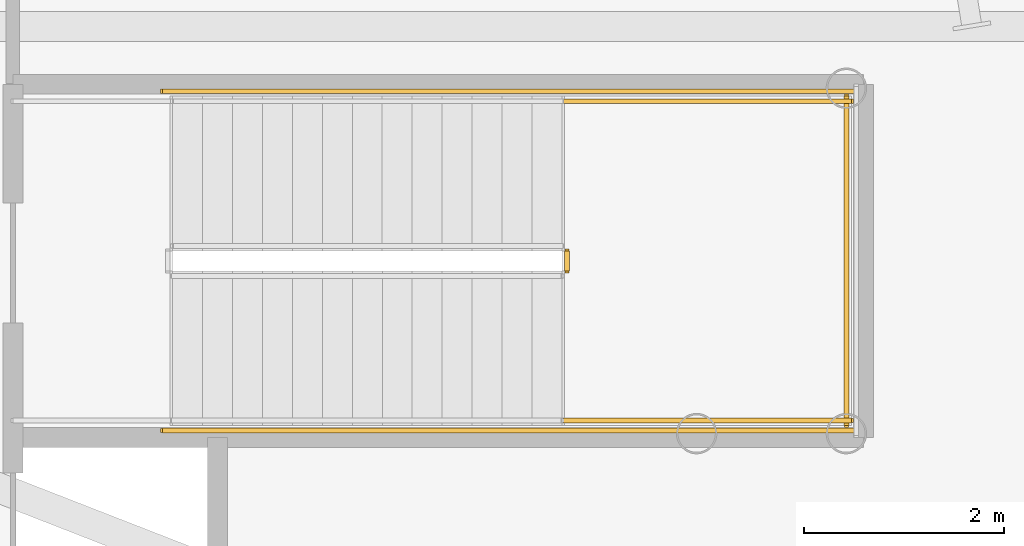
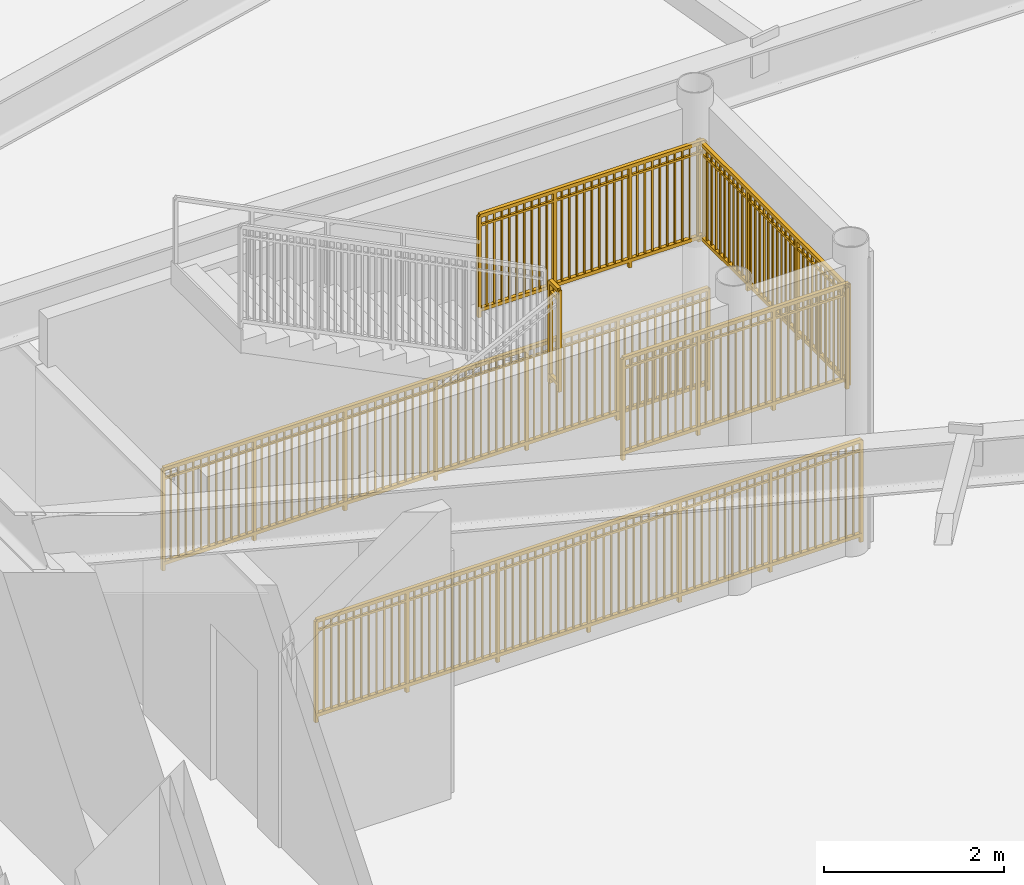
# One storey, part 34 of 35: 6 railings.
"""IFC4 building model written with IfcOpenShell, lengths in metres."""

from ifc_helpers import new_model, si_unit, direction, frame, origin, origin_2d, place, context, subcontext, project, spatial, rectangle, extrude, source, transform, mapped, material, type_object, element, save


model = new_model("IFC4")

# Units and contexts
model_context = context("Model", 3, precision=1e-05, world=origin(), true_north=direction((0.0, 1.0)))
body_context = subcontext(model_context, "Body", "Model", "MODEL_VIEW")
ifc_project = project(units=[si_unit("LENGTHUNIT", "METRE"), si_unit("AREAUNIT", "SQUARE_METRE"), si_unit("VOLUMEUNIT", "CUBIC_METRE"), si_unit("PLANEANGLEUNIT", "RADIAN"), si_unit("MASSUNIT", "GRAM", prefix="KILO")], contexts=[model_context])

# Site, building, storey
site_placement = place(None, origin())
site = spatial("IfcSite", under=ifc_project, at=site_placement, CompositionType="ELEMENT")
building_placement = place(site_placement, origin())
building = spatial("IfcBuilding", under=site, at=building_placement, Name="Linh Dai School and Residence Tower", CompositionType="ELEMENT")
storey_placement = place(building_placement, frame((0.0, 0.0, 32.39990234375)))
storey = spatial("IfcBuildingStorey", under=building, at=storey_placement, Name="L07", CompositionType="ELEMENT", Elevation=32.39990234375)

# Railings
ifc_material = material(Name="Structural Steel S355JR", Category="steel")
railing_type = type_object("IfcRailingType", Name="RL-ST-GUARD-1400", PredefinedType="GUARDRAIL", material=ifc_material)
shared_shape_1 = source(origin(), body_context, "Body", "SweptSolid", [
    extrude(rectangle(XDim=0.048095703125, YDim=0.048095703125, at=origin_2d()), frame((0.0, 0.0, 1.3759765625), z_axis=(0.0, 1.0, 0.0), x_axis=(-1.0, 0.0, 0.0)), (0.0, 0.0, 1.0), 0.199951171875),
    extrude(rectangle(XDim=0.048095703125, YDim=0.048095703125, at=origin_2d()), frame((0.0, 0.0, 0.10009765625), z_axis=(0.0, 1.0, 0.0), x_axis=(-1.0, 0.0, 0.0)), (0.0, 0.0, 1.0), 0.199951171875),
    extrude(rectangle(XDim=0.030029296875, YDim=0.030029296875, at=origin_2d()), frame((0.0, 0.0, 1.239990234375), z_axis=(0.0, 1.0, 0.0), x_axis=(-1.0, 0.0, 0.0)), (0.0, 0.0, 1.0), 0.199951171875),
    extrude(rectangle(XDim=0.0419921875, YDim=0.0419921875, at=origin_2d()), origin(), (0.0, 0.0, 1.0), 1.3759765625),
    extrude(rectangle(XDim=0.0419921875, YDim=0.0419921875, at=origin_2d()), frame((0.0, 0.199951171875, 0.0)), (0.0, 0.0, 1.0), 1.3759765625),
])
railing_1_placement = place(storey_placement, frame((53.550048828125, 24.550048828125, 2.10009765625)))
element("IfcRailing", 1, at=railing_1_placement, inside=storey, type_object=railing_type, Name="L07 STS2 stair guard 2", PredefinedType="GUARDRAIL", context=body_context, shape_type="MappedRepresentation", body=[
    mapped(shared_shape_1, transform((0.0, 0.0, 0.0), x_axis=(1.0, 0.0, 0.0), y_axis=(0.0, 1.0, 0.0), z_axis=(0.0, 0.0, 1.0), scale=1.0)),
])
shared_shape_2 = source(origin(), body_context, "Body", "SweptSolid", [
    extrude(rectangle(XDim=0.048095703125, YDim=0.048095703125, at=origin_2d()), frame((0.0, 0.0, 1.3759765625), z_axis=(0.0, 1.0, 0.0), x_axis=(-1.0, 0.0, 0.0)), (0.0, 0.0, 1.0), 3.300048828125),
    extrude(rectangle(XDim=0.048095703125, YDim=0.048095703125, at=origin_2d()), frame((0.0, 0.0, 0.10009765625), z_axis=(0.0, 1.0, 0.0), x_axis=(-1.0, 0.0, 0.0)), (0.0, 0.0, 1.0), 3.300048828125),
    extrude(rectangle(XDim=0.030029296875, YDim=0.030029296875, at=origin_2d()), frame((0.0, 0.0, 1.239990234375), z_axis=(0.0, 1.0, 0.0), x_axis=(-1.0, 0.0, 0.0)), (0.0, 0.0, 1.0), 3.300048828125),
    extrude(rectangle(XDim=0.02001953125, YDim=0.02001953125, at=origin_2d()), frame((0.0, 0.09716796875, 0.10009765625)), (0.0, 0.0, 1.0), 1.251708984375),
    extrude(rectangle(XDim=0.02001953125, YDim=0.02001953125, at=origin_2d()), frame((0.0, 0.194091796875, 0.10009765625)), (0.0, 0.0, 1.0), 1.251708984375),
    extrude(rectangle(XDim=0.02001953125, YDim=0.02001953125, at=origin_2d()), frame((0.0, 0.291259765625, 0.10009765625)), (0.0, 0.0, 1.0), 1.251708984375),
    extrude(rectangle(XDim=0.02001953125, YDim=0.02001953125, at=origin_2d()), frame((0.0, 0.38818359375, 0.10009765625)), (0.0, 0.0, 1.0), 1.251708984375),
    extrude(rectangle(XDim=0.02001953125, YDim=0.02001953125, at=origin_2d()), frame((0.0, 0.4853515625, 0.10009765625)), (0.0, 0.0, 1.0), 1.251708984375),
    extrude(rectangle(XDim=0.02001953125, YDim=0.02001953125, at=origin_2d()), frame((0.0, 0.582275390625, 0.10009765625)), (0.0, 0.0, 1.0), 1.251708984375),
    extrude(rectangle(XDim=0.02001953125, YDim=0.02001953125, at=origin_2d()), frame((0.0, 0.679443359375, 0.10009765625)), (0.0, 0.0, 1.0), 1.251708984375),
    extrude(rectangle(XDim=0.02001953125, YDim=0.02001953125, at=origin_2d()), frame((0.0, 0.7763671875, 0.10009765625)), (0.0, 0.0, 1.0), 1.251708984375),
    extrude(rectangle(XDim=0.02001953125, YDim=0.02001953125, at=origin_2d()), frame((0.0, 0.87353515625, 0.10009765625)), (0.0, 0.0, 1.0), 1.251708984375),
    extrude(rectangle(XDim=0.02001953125, YDim=0.02001953125, at=origin_2d()), frame((0.0, 0.970703125, 0.10009765625)), (0.0, 0.0, 1.0), 1.251708984375),
    extrude(rectangle(XDim=0.02001953125, YDim=0.02001953125, at=origin_2d()), frame((0.0, 1.164794921875, 0.10009765625)), (0.0, 0.0, 1.0), 1.251708984375),
    extrude(rectangle(XDim=0.02001953125, YDim=0.02001953125, at=origin_2d()), frame((0.0, 1.26171875, 0.10009765625)), (0.0, 0.0, 1.0), 1.251708984375),
    extrude(rectangle(XDim=0.02001953125, YDim=0.02001953125, at=origin_2d()), frame((0.0, 1.35888671875, 0.10009765625)), (0.0, 0.0, 1.0), 1.251708984375),
    extrude(rectangle(XDim=0.02001953125, YDim=0.02001953125, at=origin_2d()), frame((0.0, 1.455810546875, 0.10009765625)), (0.0, 0.0, 1.0), 1.251708984375),
    extrude(rectangle(XDim=0.02001953125, YDim=0.02001953125, at=origin_2d()), frame((0.0, 1.552978515625, 0.10009765625)), (0.0, 0.0, 1.0), 1.251708984375),
    extrude(rectangle(XDim=0.02001953125, YDim=0.02001953125, at=origin_2d()), frame((0.0, 1.64990234375, 0.10009765625)), (0.0, 0.0, 1.0), 1.251708984375),
    extrude(rectangle(XDim=0.02001953125, YDim=0.02001953125, at=origin_2d()), frame((0.0, 1.7470703125, 0.10009765625)), (0.0, 0.0, 1.0), 1.251708984375),
    extrude(rectangle(XDim=0.02001953125, YDim=0.02001953125, at=origin_2d()), frame((0.0, 1.84423828125, 0.10009765625)), (0.0, 0.0, 1.0), 1.251708984375),
    extrude(rectangle(XDim=0.02001953125, YDim=0.02001953125, at=origin_2d()), frame((0.0, 1.941162109375, 0.10009765625)), (0.0, 0.0, 1.0), 1.251708984375),
    extrude(rectangle(XDim=0.02001953125, YDim=0.02001953125, at=origin_2d()), frame((0.0, 2.038330078125, 0.10009765625)), (0.0, 0.0, 1.0), 1.251708984375),
    extrude(rectangle(XDim=0.02001953125, YDim=0.02001953125, at=origin_2d()), frame((0.0, 2.13525390625, 0.10009765625)), (0.0, 0.0, 1.0), 1.251708984375),
    extrude(rectangle(XDim=0.02001953125, YDim=0.02001953125, at=origin_2d()), frame((0.0, 2.329345703125, 0.10009765625)), (0.0, 0.0, 1.0), 1.251708984375),
    extrude(rectangle(XDim=0.02001953125, YDim=0.02001953125, at=origin_2d()), frame((0.0, 2.426513671875, 0.10009765625)), (0.0, 0.0, 1.0), 1.251708984375),
    extrude(rectangle(XDim=0.02001953125, YDim=0.02001953125, at=origin_2d()), frame((0.0, 2.523681640625, 0.10009765625)), (0.0, 0.0, 1.0), 1.251708984375),
    extrude(rectangle(XDim=0.02001953125, YDim=0.02001953125, at=origin_2d()), frame((0.0, 2.62060546875, 0.10009765625)), (0.0, 0.0, 1.0), 1.251708984375),
    extrude(rectangle(XDim=0.02001953125, YDim=0.02001953125, at=origin_2d()), frame((0.0, 2.7177734375, 0.10009765625)), (0.0, 0.0, 1.0), 1.251708984375),
    extrude(rectangle(XDim=0.02001953125, YDim=0.02001953125, at=origin_2d()), frame((0.0, 2.814697265625, 0.10009765625)), (0.0, 0.0, 1.0), 1.251708984375),
    extrude(rectangle(XDim=0.02001953125, YDim=0.02001953125, at=origin_2d()), frame((0.0, 2.911865234375, 0.10009765625)), (0.0, 0.0, 1.0), 1.251708984375),
    extrude(rectangle(XDim=0.02001953125, YDim=0.02001953125, at=origin_2d()), frame((0.0, 3.0087890625, 0.10009765625)), (0.0, 0.0, 1.0), 1.251708984375),
    extrude(rectangle(XDim=0.02001953125, YDim=0.02001953125, at=origin_2d()), frame((0.0, 3.10595703125, 0.10009765625)), (0.0, 0.0, 1.0), 1.251708984375),
    extrude(rectangle(XDim=0.02001953125, YDim=0.02001953125, at=origin_2d()), frame((0.0, 3.202880859375, 0.10009765625)), (0.0, 0.0, 1.0), 1.251708984375),
    extrude(rectangle(XDim=0.0419921875, YDim=0.0419921875, at=origin_2d()), origin(), (0.0, 0.0, 1.0), 1.3759765625),
    extrude(rectangle(XDim=0.0419921875, YDim=0.0419921875, at=origin_2d()), frame((0.0, 1.10009765625, 0.0)), (0.0, 0.0, 1.0), 1.3759765625),
    extrude(rectangle(XDim=0.0419921875, YDim=0.0419921875, at=origin_2d()), frame((0.0, 2.199951171875, 0.0)), (0.0, 0.0, 1.0), 1.3759765625),
    extrude(rectangle(XDim=0.0419921875, YDim=0.0419921875, at=origin_2d()), frame((0.0, 3.300048828125, 0.0)), (0.0, 0.0, 1.0), 1.3759765625),
])
railing_2_placement = place(storey_placement, frame((56.35009765625, 23.0, 2.10009765625)))
element("IfcRailing", 2, at=railing_2_placement, inside=storey, type_object=railing_type, Name="L07 STS2 stair guard 5", PredefinedType="GUARDRAIL", context=body_context, shape_type="MappedRepresentation", body=[
    mapped(shared_shape_2, transform((0.0, 0.0, 0.0), x_axis=(1.0, 0.0, 0.0), y_axis=(0.0, 1.0, 0.0), z_axis=(0.0, 0.0, 1.0), scale=1.0)),
])
shared_shape_3 = source(origin(), body_context, "Body", "SweptSolid", [
    extrude(rectangle(XDim=0.048095703125, YDim=0.048095703125, at=origin_2d()), frame((0.0, 0.0, 1.3759765625), z_axis=(1.0, 0.0, 0.0), x_axis=(0.0, 1.0, 0.0)), (0.0, 0.0, 1.0), 2.89990234375),
    extrude(rectangle(XDim=0.048095703125, YDim=0.048095703125, at=origin_2d()), frame((0.0, 0.0, 0.10009765625), z_axis=(1.0, 0.0, 0.0), x_axis=(0.0, 1.0, 0.0)), (0.0, 0.0, 1.0), 2.89990234375),
    extrude(rectangle(XDim=0.030029296875, YDim=0.030029296875, at=origin_2d()), frame((0.0, 0.0, 1.239990234375), z_axis=(1.0, 0.0, 0.0), x_axis=(0.0, 1.0, 0.0)), (0.0, 0.0, 1.0), 2.89990234375),
    extrude(rectangle(XDim=0.02001953125, YDim=0.02001953125, at=origin_2d()), frame((0.0966796875, 0.0, 0.10009765625)), (0.0, 0.0, 1.0), 1.251708984375),
    extrude(rectangle(XDim=0.02001953125, YDim=0.02001953125, at=origin_2d()), frame((0.193359375, 0.0, 0.10009765625)), (0.0, 0.0, 1.0), 1.251708984375),
    extrude(rectangle(XDim=0.02001953125, YDim=0.02001953125, at=origin_2d()), frame((0.2900390625, 0.0, 0.10009765625)), (0.0, 0.0, 1.0), 1.251708984375),
    extrude(rectangle(XDim=0.02001953125, YDim=0.02001953125, at=origin_2d()), frame((0.38671875, 0.0, 0.10009765625)), (0.0, 0.0, 1.0), 1.251708984375),
    extrude(rectangle(XDim=0.02001953125, YDim=0.02001953125, at=origin_2d()), frame((0.4833984375, 0.0, 0.10009765625)), (0.0, 0.0, 1.0), 1.251708984375),
    extrude(rectangle(XDim=0.02001953125, YDim=0.02001953125, at=origin_2d()), frame((0.580078125, 0.0, 0.10009765625)), (0.0, 0.0, 1.0), 1.251708984375),
    extrude(rectangle(XDim=0.02001953125, YDim=0.02001953125, at=origin_2d()), frame((0.6767578125, 0.0, 0.10009765625)), (0.0, 0.0, 1.0), 1.251708984375),
    extrude(rectangle(XDim=0.02001953125, YDim=0.02001953125, at=origin_2d()), frame((0.773193359375, 0.0, 0.10009765625)), (0.0, 0.0, 1.0), 1.251708984375),
    extrude(rectangle(XDim=0.02001953125, YDim=0.02001953125, at=origin_2d()), frame((0.869873046875, 0.0, 0.10009765625)), (0.0, 0.0, 1.0), 1.251708984375),
    extrude(rectangle(XDim=0.02001953125, YDim=0.02001953125, at=origin_2d()), frame((1.063232421875, 0.0, 0.10009765625)), (0.0, 0.0, 1.0), 1.251708984375),
    extrude(rectangle(XDim=0.02001953125, YDim=0.02001953125, at=origin_2d()), frame((1.159912109375, 0.0, 0.10009765625)), (0.0, 0.0, 1.0), 1.251708984375),
    extrude(rectangle(XDim=0.02001953125, YDim=0.02001953125, at=origin_2d()), frame((1.256591796875, 0.0, 0.10009765625)), (0.0, 0.0, 1.0), 1.251708984375),
    extrude(rectangle(XDim=0.02001953125, YDim=0.02001953125, at=origin_2d()), frame((1.353271484375, 0.0, 0.10009765625)), (0.0, 0.0, 1.0), 1.251708984375),
    extrude(rectangle(XDim=0.02001953125, YDim=0.02001953125, at=origin_2d()), frame((1.449951171875, 0.0, 0.10009765625)), (0.0, 0.0, 1.0), 1.251708984375),
    extrude(rectangle(XDim=0.02001953125, YDim=0.02001953125, at=origin_2d()), frame((1.546630859375, 0.0, 0.10009765625)), (0.0, 0.0, 1.0), 1.251708984375),
    extrude(rectangle(XDim=0.02001953125, YDim=0.02001953125, at=origin_2d()), frame((1.643310546875, 0.0, 0.10009765625)), (0.0, 0.0, 1.0), 1.251708984375),
    extrude(rectangle(XDim=0.02001953125, YDim=0.02001953125, at=origin_2d()), frame((1.739990234375, 0.0, 0.10009765625)), (0.0, 0.0, 1.0), 1.251708984375),
    extrude(rectangle(XDim=0.02001953125, YDim=0.02001953125, at=origin_2d()), frame((1.836669921875, 0.0, 0.10009765625)), (0.0, 0.0, 1.0), 1.251708984375),
    extrude(rectangle(XDim=0.02001953125, YDim=0.02001953125, at=origin_2d()), frame((2.030029296875, 0.0, 0.10009765625)), (0.0, 0.0, 1.0), 1.251708984375),
    extrude(rectangle(XDim=0.02001953125, YDim=0.02001953125, at=origin_2d()), frame((2.126708984375, 0.0, 0.10009765625)), (0.0, 0.0, 1.0), 1.251708984375),
    extrude(rectangle(XDim=0.02001953125, YDim=0.02001953125, at=origin_2d()), frame((2.22314453125, 0.0, 0.10009765625)), (0.0, 0.0, 1.0), 1.251708984375),
    extrude(rectangle(XDim=0.02001953125, YDim=0.02001953125, at=origin_2d()), frame((2.31982421875, 0.0, 0.10009765625)), (0.0, 0.0, 1.0), 1.251708984375),
    extrude(rectangle(XDim=0.02001953125, YDim=0.02001953125, at=origin_2d()), frame((2.41650390625, 0.0, 0.10009765625)), (0.0, 0.0, 1.0), 1.251708984375),
    extrude(rectangle(XDim=0.02001953125, YDim=0.02001953125, at=origin_2d()), frame((2.51318359375, 0.0, 0.10009765625)), (0.0, 0.0, 1.0), 1.251708984375),
    extrude(rectangle(XDim=0.02001953125, YDim=0.02001953125, at=origin_2d()), frame((2.60986328125, 0.0, 0.10009765625)), (0.0, 0.0, 1.0), 1.251708984375),
    extrude(rectangle(XDim=0.02001953125, YDim=0.02001953125, at=origin_2d()), frame((2.70654296875, 0.0, 0.10009765625)), (0.0, 0.0, 1.0), 1.251708984375),
    extrude(rectangle(XDim=0.02001953125, YDim=0.02001953125, at=origin_2d()), frame((2.80322265625, 0.0, 0.10009765625)), (0.0, 0.0, 1.0), 1.251708984375),
    extrude(rectangle(XDim=0.0419921875, YDim=0.0419921875, at=origin_2d()), origin(), (0.0, 0.0, 1.0), 1.3759765625),
    extrude(rectangle(XDim=0.0419921875, YDim=0.0419921875, at=origin_2d()), frame((0.966552734375, 0.0, 0.0)), (0.0, 0.0, 1.0), 1.3759765625),
    extrude(rectangle(XDim=0.0419921875, YDim=0.0419921875, at=origin_2d()), frame((1.933349609375, 0.0, 0.0)), (0.0, 0.0, 1.0), 1.3759765625),
    extrude(rectangle(XDim=0.0419921875, YDim=0.0419921875, at=origin_2d()), frame((2.89990234375, 0.0, 0.0)), (0.0, 0.0, 1.0), 1.3759765625),
])
for number, where, name in (
    (3, (53.5, 23.050048828125, 2.10009765625), "L07 STS2 stair guard 3"),
    (4, (53.5, 26.25, 2.10009765625), "L07 STS2 stair guard 4"),
):
    element("IfcRailing", number, at=place(storey_placement, frame(where)), inside=storey, type_object=railing_type, Name=name, PredefinedType="GUARDRAIL", context=body_context, shape_type="MappedRepresentation", body=[
        mapped(shared_shape_3, transform((0.0, 0.0, 0.0), x_axis=(1.0, 0.0, 0.0), y_axis=(0.0, 1.0, 0.0), z_axis=(0.0, 0.0, 1.0), scale=1.0)),
    ])
shared_shape_4 = source(origin(), body_context, "Body", "SweptSolid", [
    extrude(rectangle(XDim=0.048095703125, YDim=0.048095703125, at=origin_2d()), frame((0.0, 0.0, 1.3759765625), z_axis=(1.0, 0.0, 0.0), x_axis=(0.0, 1.0, 0.0)), (0.0, 0.0, 1.0), 7.0),
    extrude(rectangle(XDim=0.048095703125, YDim=0.048095703125, at=origin_2d()), frame((0.0, 0.0, 0.10009765625), z_axis=(1.0, 0.0, 0.0), x_axis=(0.0, 1.0, 0.0)), (0.0, 0.0, 1.0), 7.0),
    extrude(rectangle(XDim=0.030029296875, YDim=0.030029296875, at=origin_2d()), frame((0.0, 0.0, 1.239990234375), z_axis=(1.0, 0.0, 0.0), x_axis=(0.0, 1.0, 0.0)), (0.0, 0.0, 1.0), 7.0),
    extrude(rectangle(XDim=0.02001953125, YDim=0.02001953125, at=origin_2d()), frame((0.09716796875, 0.0, 0.10009765625)), (0.0, 0.0, 1.0), 1.251708984375),
    extrude(rectangle(XDim=0.02001953125, YDim=0.02001953125, at=origin_2d()), frame((0.1943359375, 0.0, 0.10009765625)), (0.0, 0.0, 1.0), 1.251708984375),
    extrude(rectangle(XDim=0.02001953125, YDim=0.02001953125, at=origin_2d()), frame((0.291748046875, 0.0, 0.10009765625)), (0.0, 0.0, 1.0), 1.251708984375),
    extrude(rectangle(XDim=0.02001953125, YDim=0.02001953125, at=origin_2d()), frame((0.388916015625, 0.0, 0.10009765625)), (0.0, 0.0, 1.0), 1.251708984375),
    extrude(rectangle(XDim=0.02001953125, YDim=0.02001953125, at=origin_2d()), frame((0.486083984375, 0.0, 0.10009765625)), (0.0, 0.0, 1.0), 1.251708984375),
    extrude(rectangle(XDim=0.02001953125, YDim=0.02001953125, at=origin_2d()), frame((0.583251953125, 0.0, 0.10009765625)), (0.0, 0.0, 1.0), 1.251708984375),
    extrude(rectangle(XDim=0.02001953125, YDim=0.02001953125, at=origin_2d()), frame((0.6806640625, 0.0, 0.10009765625)), (0.0, 0.0, 1.0), 1.251708984375),
    extrude(rectangle(XDim=0.02001953125, YDim=0.02001953125, at=origin_2d()), frame((0.77783203125, 0.0, 0.10009765625)), (0.0, 0.0, 1.0), 1.251708984375),
    extrude(rectangle(XDim=0.02001953125, YDim=0.02001953125, at=origin_2d()), frame((0.875, 0.0, 0.10009765625)), (0.0, 0.0, 1.0), 1.251708984375),
    extrude(rectangle(XDim=0.02001953125, YDim=0.02001953125, at=origin_2d()), frame((0.97216796875, 0.0, 0.10009765625)), (0.0, 0.0, 1.0), 1.251708984375),
    extrude(rectangle(XDim=0.02001953125, YDim=0.02001953125, at=origin_2d()), frame((1.0693359375, 0.0, 0.10009765625)), (0.0, 0.0, 1.0), 1.251708984375),
    extrude(rectangle(XDim=0.02001953125, YDim=0.02001953125, at=origin_2d()), frame((1.263916015625, 0.0, 0.10009765625)), (0.0, 0.0, 1.0), 1.251708984375),
    extrude(rectangle(XDim=0.02001953125, YDim=0.02001953125, at=origin_2d()), frame((1.361083984375, 0.0, 0.10009765625)), (0.0, 0.0, 1.0), 1.251708984375),
    extrude(rectangle(XDim=0.02001953125, YDim=0.02001953125, at=origin_2d()), frame((1.458251953125, 0.0, 0.10009765625)), (0.0, 0.0, 1.0), 1.251708984375),
    extrude(rectangle(XDim=0.02001953125, YDim=0.02001953125, at=origin_2d()), frame((1.5556640625, 0.0, 0.10009765625)), (0.0, 0.0, 1.0), 1.251708984375),
    extrude(rectangle(XDim=0.02001953125, YDim=0.02001953125, at=origin_2d()), frame((1.65283203125, 0.0, 0.10009765625)), (0.0, 0.0, 1.0), 1.251708984375),
    extrude(rectangle(XDim=0.02001953125, YDim=0.02001953125, at=origin_2d()), frame((1.75, 0.0, 0.10009765625)), (0.0, 0.0, 1.0), 1.251708984375),
    extrude(rectangle(XDim=0.02001953125, YDim=0.02001953125, at=origin_2d()), frame((1.84716796875, 0.0, 0.10009765625)), (0.0, 0.0, 1.0), 1.251708984375),
    extrude(rectangle(XDim=0.02001953125, YDim=0.02001953125, at=origin_2d()), frame((1.9443359375, 0.0, 0.10009765625)), (0.0, 0.0, 1.0), 1.251708984375),
    extrude(rectangle(XDim=0.02001953125, YDim=0.02001953125, at=origin_2d()), frame((2.041748046875, 0.0, 0.10009765625)), (0.0, 0.0, 1.0), 1.251708984375),
    extrude(rectangle(XDim=0.02001953125, YDim=0.02001953125, at=origin_2d()), frame((2.138916015625, 0.0, 0.10009765625)), (0.0, 0.0, 1.0), 1.251708984375),
    extrude(rectangle(XDim=0.02001953125, YDim=0.02001953125, at=origin_2d()), frame((2.236083984375, 0.0, 0.10009765625)), (0.0, 0.0, 1.0), 1.251708984375),
    extrude(rectangle(XDim=0.02001953125, YDim=0.02001953125, at=origin_2d()), frame((2.4306640625, 0.0, 0.10009765625)), (0.0, 0.0, 1.0), 1.251708984375),
    extrude(rectangle(XDim=0.02001953125, YDim=0.02001953125, at=origin_2d()), frame((2.52783203125, 0.0, 0.10009765625)), (0.0, 0.0, 1.0), 1.251708984375),
    extrude(rectangle(XDim=0.02001953125, YDim=0.02001953125, at=origin_2d()), frame((2.625, 0.0, 0.10009765625)), (0.0, 0.0, 1.0), 1.251708984375),
    extrude(rectangle(XDim=0.02001953125, YDim=0.02001953125, at=origin_2d()), frame((2.72216796875, 0.0, 0.10009765625)), (0.0, 0.0, 1.0), 1.251708984375),
    extrude(rectangle(XDim=0.02001953125, YDim=0.02001953125, at=origin_2d()), frame((2.8193359375, 0.0, 0.10009765625)), (0.0, 0.0, 1.0), 1.251708984375),
    extrude(rectangle(XDim=0.02001953125, YDim=0.02001953125, at=origin_2d()), frame((2.916748046875, 0.0, 0.10009765625)), (0.0, 0.0, 1.0), 1.251708984375),
    extrude(rectangle(XDim=0.02001953125, YDim=0.02001953125, at=origin_2d()), frame((3.013916015625, 0.0, 0.10009765625)), (0.0, 0.0, 1.0), 1.251708984375),
    extrude(rectangle(XDim=0.02001953125, YDim=0.02001953125, at=origin_2d()), frame((3.111083984375, 0.0, 0.10009765625)), (0.0, 0.0, 1.0), 1.251708984375),
    extrude(rectangle(XDim=0.02001953125, YDim=0.02001953125, at=origin_2d()), frame((3.208251953125, 0.0, 0.10009765625)), (0.0, 0.0, 1.0), 1.251708984375),
    extrude(rectangle(XDim=0.02001953125, YDim=0.02001953125, at=origin_2d()), frame((3.3056640625, 0.0, 0.10009765625)), (0.0, 0.0, 1.0), 1.251708984375),
    extrude(rectangle(XDim=0.02001953125, YDim=0.02001953125, at=origin_2d()), frame((3.40283203125, 0.0, 0.10009765625)), (0.0, 0.0, 1.0), 1.251708984375),
    extrude(rectangle(XDim=0.02001953125, YDim=0.02001953125, at=origin_2d()), frame((3.59716796875, 0.0, 0.10009765625)), (0.0, 0.0, 1.0), 1.251708984375),
    extrude(rectangle(XDim=0.02001953125, YDim=0.02001953125, at=origin_2d()), frame((3.6943359375, 0.0, 0.10009765625)), (0.0, 0.0, 1.0), 1.251708984375),
    extrude(rectangle(XDim=0.02001953125, YDim=0.02001953125, at=origin_2d()), frame((3.791748046875, 0.0, 0.10009765625)), (0.0, 0.0, 1.0), 1.251708984375),
    extrude(rectangle(XDim=0.02001953125, YDim=0.02001953125, at=origin_2d()), frame((3.888916015625, 0.0, 0.10009765625)), (0.0, 0.0, 1.0), 1.251708984375),
    extrude(rectangle(XDim=0.02001953125, YDim=0.02001953125, at=origin_2d()), frame((3.986083984375, 0.0, 0.10009765625)), (0.0, 0.0, 1.0), 1.251708984375),
    extrude(rectangle(XDim=0.02001953125, YDim=0.02001953125, at=origin_2d()), frame((4.083251953125, 0.0, 0.10009765625)), (0.0, 0.0, 1.0), 1.251708984375),
    extrude(rectangle(XDim=0.02001953125, YDim=0.02001953125, at=origin_2d()), frame((4.1806640625, 0.0, 0.10009765625)), (0.0, 0.0, 1.0), 1.251708984375),
    extrude(rectangle(XDim=0.02001953125, YDim=0.02001953125, at=origin_2d()), frame((4.27783203125, 0.0, 0.10009765625)), (0.0, 0.0, 1.0), 1.251708984375),
    extrude(rectangle(XDim=0.02001953125, YDim=0.02001953125, at=origin_2d()), frame((4.375, 0.0, 0.10009765625)), (0.0, 0.0, 1.0), 1.251708984375),
    extrude(rectangle(XDim=0.02001953125, YDim=0.02001953125, at=origin_2d()), frame((4.47216796875, 0.0, 0.10009765625)), (0.0, 0.0, 1.0), 1.251708984375),
    extrude(rectangle(XDim=0.02001953125, YDim=0.02001953125, at=origin_2d()), frame((4.5693359375, 0.0, 0.10009765625)), (0.0, 0.0, 1.0), 1.251708984375),
    extrude(rectangle(XDim=0.02001953125, YDim=0.02001953125, at=origin_2d()), frame((4.763916015625, 0.0, 0.10009765625)), (0.0, 0.0, 1.0), 1.251708984375),
    extrude(rectangle(XDim=0.02001953125, YDim=0.02001953125, at=origin_2d()), frame((4.861083984375, 0.0, 0.10009765625)), (0.0, 0.0, 1.0), 1.251708984375),
    extrude(rectangle(XDim=0.02001953125, YDim=0.02001953125, at=origin_2d()), frame((4.958251953125, 0.0, 0.10009765625)), (0.0, 0.0, 1.0), 1.251708984375),
    extrude(rectangle(XDim=0.02001953125, YDim=0.02001953125, at=origin_2d()), frame((5.0556640625, 0.0, 0.10009765625)), (0.0, 0.0, 1.0), 1.251708984375),
    extrude(rectangle(XDim=0.02001953125, YDim=0.02001953125, at=origin_2d()), frame((5.15283203125, 0.0, 0.10009765625)), (0.0, 0.0, 1.0), 1.251708984375),
    extrude(rectangle(XDim=0.02001953125, YDim=0.02001953125, at=origin_2d()), frame((5.25, 0.0, 0.10009765625)), (0.0, 0.0, 1.0), 1.251708984375),
    extrude(rectangle(XDim=0.02001953125, YDim=0.02001953125, at=origin_2d()), frame((5.34716796875, 0.0, 0.10009765625)), (0.0, 0.0, 1.0), 1.251708984375),
    extrude(rectangle(XDim=0.02001953125, YDim=0.02001953125, at=origin_2d()), frame((5.4443359375, 0.0, 0.10009765625)), (0.0, 0.0, 1.0), 1.251708984375),
    extrude(rectangle(XDim=0.02001953125, YDim=0.02001953125, at=origin_2d()), frame((5.541748046875, 0.0, 0.10009765625)), (0.0, 0.0, 1.0), 1.251708984375),
    extrude(rectangle(XDim=0.02001953125, YDim=0.02001953125, at=origin_2d()), frame((5.638916015625, 0.0, 0.10009765625)), (0.0, 0.0, 1.0), 1.251708984375),
    extrude(rectangle(XDim=0.02001953125, YDim=0.02001953125, at=origin_2d()), frame((5.736083984375, 0.0, 0.10009765625)), (0.0, 0.0, 1.0), 1.251708984375),
    extrude(rectangle(XDim=0.02001953125, YDim=0.02001953125, at=origin_2d()), frame((5.9306640625, 0.0, 0.10009765625)), (0.0, 0.0, 1.0), 1.251708984375),
    extrude(rectangle(XDim=0.02001953125, YDim=0.02001953125, at=origin_2d()), frame((6.02783203125, 0.0, 0.10009765625)), (0.0, 0.0, 1.0), 1.251708984375),
    extrude(rectangle(XDim=0.02001953125, YDim=0.02001953125, at=origin_2d()), frame((6.125, 0.0, 0.10009765625)), (0.0, 0.0, 1.0), 1.251708984375),
    extrude(rectangle(XDim=0.02001953125, YDim=0.02001953125, at=origin_2d()), frame((6.22216796875, 0.0, 0.10009765625)), (0.0, 0.0, 1.0), 1.251708984375),
    extrude(rectangle(XDim=0.02001953125, YDim=0.02001953125, at=origin_2d()), frame((6.3193359375, 0.0, 0.10009765625)), (0.0, 0.0, 1.0), 1.251708984375),
    extrude(rectangle(XDim=0.02001953125, YDim=0.02001953125, at=origin_2d()), frame((6.416748046875, 0.0, 0.10009765625)), (0.0, 0.0, 1.0), 1.251708984375),
    extrude(rectangle(XDim=0.02001953125, YDim=0.02001953125, at=origin_2d()), frame((6.513916015625, 0.0, 0.10009765625)), (0.0, 0.0, 1.0), 1.251708984375),
    extrude(rectangle(XDim=0.02001953125, YDim=0.02001953125, at=origin_2d()), frame((6.611083984375, 0.0, 0.10009765625)), (0.0, 0.0, 1.0), 1.251708984375),
    extrude(rectangle(XDim=0.02001953125, YDim=0.02001953125, at=origin_2d()), frame((6.708251953125, 0.0, 0.10009765625)), (0.0, 0.0, 1.0), 1.251708984375),
    extrude(rectangle(XDim=0.02001953125, YDim=0.02001953125, at=origin_2d()), frame((6.8056640625, 0.0, 0.10009765625)), (0.0, 0.0, 1.0), 1.251708984375),
    extrude(rectangle(XDim=0.02001953125, YDim=0.02001953125, at=origin_2d()), frame((6.90283203125, 0.0, 0.10009765625)), (0.0, 0.0, 1.0), 1.251708984375),
    extrude(rectangle(XDim=0.0419921875, YDim=0.0419921875, at=origin_2d()), origin(), (0.0, 0.0, 1.0), 1.3759765625),
    extrude(rectangle(XDim=0.0419921875, YDim=0.0419921875, at=origin_2d()), frame((1.166748046875, 0.0, 0.0)), (0.0, 0.0, 1.0), 1.3759765625),
    extrude(rectangle(XDim=0.0419921875, YDim=0.0419921875, at=origin_2d()), frame((2.333251953125, 0.0, 0.0)), (0.0, 0.0, 1.0), 1.3759765625),
    extrude(rectangle(XDim=0.0419921875, YDim=0.0419921875, at=origin_2d()), frame((3.5, 0.0, 0.0)), (0.0, 0.0, 1.0), 1.3759765625),
    extrude(rectangle(XDim=0.0419921875, YDim=0.0419921875, at=origin_2d()), frame((4.666748046875, 0.0, 0.0)), (0.0, 0.0, 1.0), 1.3759765625),
    extrude(rectangle(XDim=0.0419921875, YDim=0.0419921875, at=origin_2d()), frame((5.833251953125, 0.0, 0.0)), (0.0, 0.0, 1.0), 1.3759765625),
    extrude(rectangle(XDim=0.0419921875, YDim=0.0419921875, at=origin_2d()), frame((7.0, 0.0, 0.0)), (0.0, 0.0, 1.0), 1.3759765625),
])
for number, where, name in (
    (5, (49.5, 22.949951171875, 0.0), "L07 STS2 stair guard 10"),
    (6, (49.5, 26.35009765625, 0.0), "L07 STS2 stair guard 11"),
):
    element("IfcRailing", number, at=place(storey_placement, frame(where)), inside=storey, type_object=railing_type, Name=name, PredefinedType="GUARDRAIL", context=body_context, shape_type="MappedRepresentation", body=[
        mapped(shared_shape_4, transform((0.0, 0.0, 0.0), x_axis=(1.0, 0.0, 0.0), y_axis=(0.0, 1.0, 0.0), z_axis=(0.0, 0.0, 1.0), scale=1.0)),
    ])

save(model, "model.ifc")
